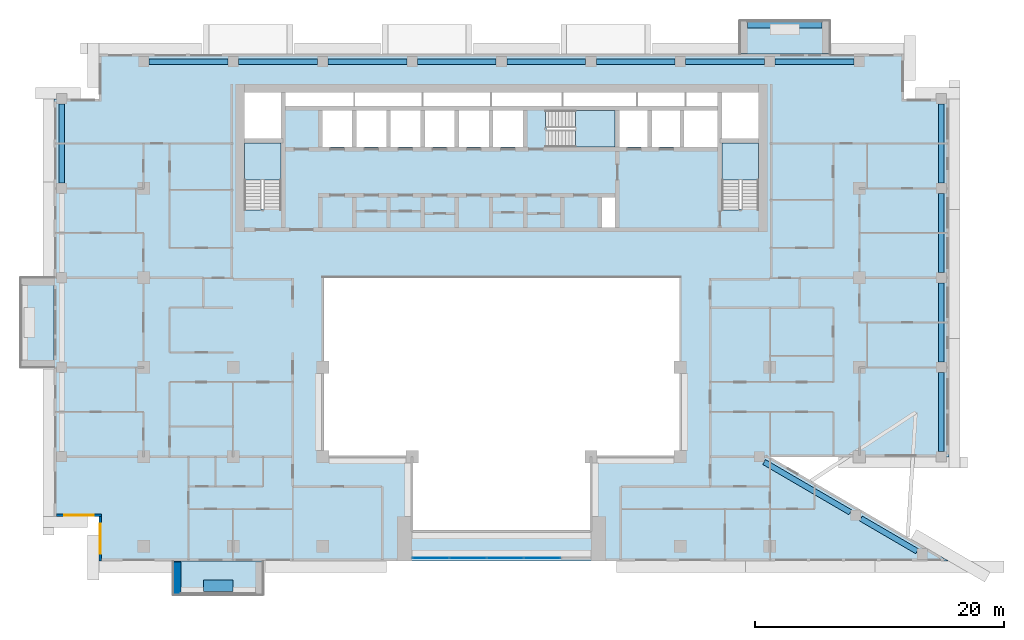
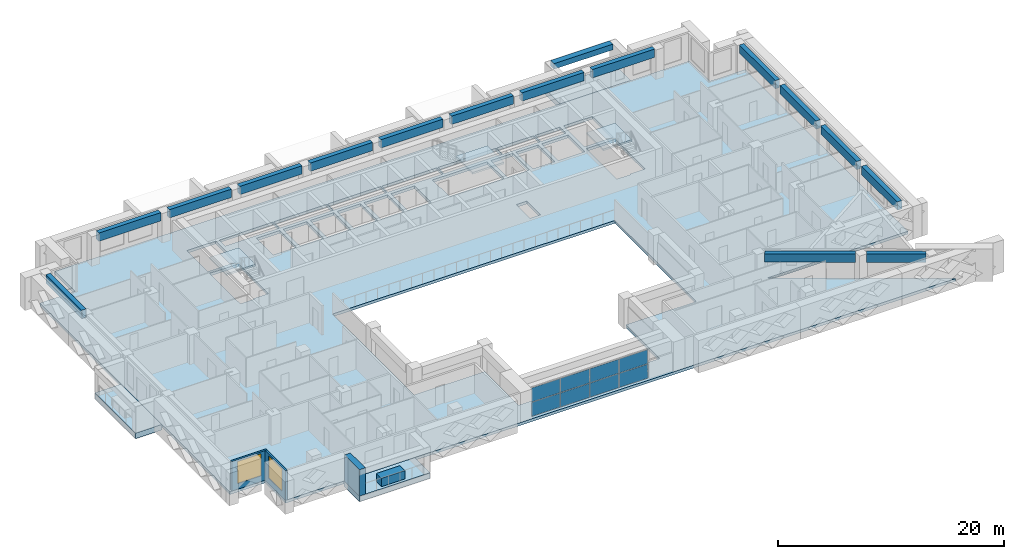
# One storey, part 5 of 20: 16 beams, 8 plates, 7 slabs, 4 walls, 2 windows, 2 openings, 4 elements without a shape of their own.
"""IFC4 building model written with IfcOpenShell, lengths in metres."""

import ifcopenshell
import ifcopenshell.guid

model = None  # the IFC model being written
_history = None  # IfcOwnerHistory: only IFC2X3 demands one
_inside = {}  # id of a spatial element -> (the spatial element, [elements in it])
_under = {}  # id of a project, library or spatial element -> (it, [spatial elements below it])
_declared = {}  # id of a project -> (the project, [libraries it declares])
_typed = {}  # id of a type object -> (the type object, [elements of that type])
_made_of = {}  # id of a material, layer set ... -> (it, [elements and type objects made of it])


def new_model(schema):
    """Start an empty IFC model of exactly this schema.

    Asked for "IFC4X3", IfcOpenShell would pick the latest addendum, in which some entities
    have other attributes; the version numbers below select the first issue.
    IFC2X3 requires an IfcOwnerHistory on every rooted entity: one is made here for all.
    """
    global model, _history
    if schema == "IFC4X3":
        model = ifcopenshell.file(schema_version=(4, 3, 0, 0))
    else:
        model = ifcopenshell.file(schema=schema)
    _inside.clear()
    _under.clear()
    _declared.clear()
    _typed.clear()
    _made_of.clear()
    _history = None
    if model.schema == "IFC2X3":
        org = make("IfcOrganization", Name="unknown")
        user = make(
            "IfcPersonAndOrganization",
            ThePerson=make("IfcPerson", FamilyName="unknown"),
            TheOrganization=org,
        )
        app = make(
            "IfcApplication",
            ApplicationDeveloper=org,
            Version="unknown",
            ApplicationFullName="unknown",
            ApplicationIdentifier="unknown",
        )
        _history = make(
            "IfcOwnerHistory",
            OwningUser=user,
            OwningApplication=app,
            ChangeAction="ADDED",
            CreationDate=0,
        )
    return model


def make(cls, **values):
    """One entity of the class cls with the attributes given. An attribute that is None is left unset."""
    return model.create_entity(
        cls, **{name: value for name, value in values.items() if value is not None}
    )


def rooted(cls, **values):
    """An entity with a GlobalId (a new one), such as an element, a storey or a relation."""
    return make(cls, GlobalId=ifcopenshell.guid.new(), OwnerHistory=_history, **values)


def si_unit(unit_type, name, prefix=None):
    """IfcSIUnit, for example si_unit("LENGTHUNIT", "METRE", prefix="MILLI")."""
    return make("IfcSIUnit", UnitType=unit_type, Prefix=prefix, Name=name)


def assignment(units):
    """IfcUnitAssignment: the units of a project."""
    return None if units is None else make("IfcUnitAssignment", Units=units)


def point(xyz):
    """IfcCartesianPoint."""
    return None if xyz is None else make("IfcCartesianPoint", Coordinates=xyz)


def direction(xyz):
    """IfcDirection."""
    return None if xyz is None else make("IfcDirection", DirectionRatios=xyz)


def frame(location, z_axis=None, x_axis=None):
    """IfcAxis2Placement3D, a coordinate frame: its origin and axes. An axis left out is left unset."""
    return make(
        "IfcAxis2Placement3D",
        Location=point(location),
        Axis=direction(z_axis),
        RefDirection=direction(x_axis),
    )


def frame_2d(location, x_axis=None):
    """IfcAxis2Placement2D, a coordinate frame in the plane: its origin and x axis."""
    return make(
        "IfcAxis2Placement2D", Location=point(location), RefDirection=direction(x_axis)
    )


def origin():
    """The frame at (0, 0, 0) with its axes left unset."""
    return frame((0.0, 0.0, 0.0))


def origin_2d():
    """The frame at (0, 0) in the plane with its x axis left unset."""
    return frame_2d((0.0, 0.0))


def place(relative_to, where):
    """IfcLocalPlacement: puts the frame where relative to a parent placement (None: the world)."""
    return make(
        "IfcLocalPlacement", PlacementRelTo=relative_to, RelativePlacement=where
    )


def context(
    kind, dimensions, precision=None, world=None, true_north=None, identifier=None
):
    """IfcGeometricRepresentationContext, for example the 3D "Model" context."""
    return make(
        "IfcGeometricRepresentationContext",
        ContextIdentifier=identifier,
        ContextType=kind,
        CoordinateSpaceDimension=dimensions,
        Precision=precision,
        WorldCoordinateSystem=world,
        TrueNorth=true_north,
    )


def subcontext(parent, identifier, kind, view, scale=None):
    """IfcGeometricRepresentationSubContext, for example "Body" below "Model"."""
    return make(
        "IfcGeometricRepresentationSubContext",
        ContextIdentifier=identifier,
        ContextType=kind,
        ParentContext=parent,
        TargetScale=scale,
        TargetView=view,
    )


def project(units=None, contexts=None):
    """IfcProject with its units and contexts."""
    return rooted(
        "IfcProject",
        Name="project",
        RepresentationContexts=contexts,
        UnitsInContext=assignment(units),
    )


def spatial(cls, under=None, at=None, **own):
    """A site, building, storey or space (cls), placed at a placement, below another one or the project."""
    s = rooted(cls, ObjectPlacement=at, **own)
    if under is not None:
        _under.setdefault(under.id(), (under, []))[1].append(s)
    return s


def polyline(points):
    """IfcPolyline through the points."""
    return make("IfcPolyline", Points=[point(p) for p in points])


def profile(cls, at=None, kind="AREA", **sizes):
    """A parametric profile (cls). Its sizes go by their IFC names, for example OverallWidth=200.0."""
    return make(cls, ProfileType=kind, Position=at, **sizes)


def rectangle(**sizes):
    """IfcRectangleProfileDef."""
    return profile("IfcRectangleProfileDef", **sizes)


def outline(outer, holes=None, kind="AREA"):
    """IfcArbitraryClosedProfileDef: a profile drawn as a closed curve; with holes, ...WithVoids."""
    if holes is None:
        return make("IfcArbitraryClosedProfileDef", ProfileType=kind, OuterCurve=outer)
    return make(
        "IfcArbitraryProfileDefWithVoids",
        ProfileType=kind,
        OuterCurve=outer,
        InnerCurves=holes,
    )


def extrude(swept, where, along, depth):
    """IfcExtrudedAreaSolid: the profile swept, set in the frame where, extruded along a direction by depth."""
    return make(
        "IfcExtrudedAreaSolid",
        SweptArea=swept,
        Position=where,
        ExtrudedDirection=direction(along),
        Depth=depth,
    )


def shape(context_of_items, identifier, shape_type, items):
    """IfcShapeRepresentation: the items that make up one representation, for example the "Body"."""
    return make(
        "IfcShapeRepresentation",
        ContextOfItems=context_of_items,
        RepresentationIdentifier=identifier,
        RepresentationType=shape_type,
        Items=items,
    )


def source(mapping_origin, context_of_items, identifier, shape_type, items):
    """IfcRepresentationMap: a shape defined once, which mapped items show again and again."""
    return make(
        "IfcRepresentationMap",
        MappingOrigin=mapping_origin,
        MappedRepresentation=shape(context_of_items, identifier, shape_type, items),
    )


def transform(
    local_origin,
    x_axis=None,
    y_axis=None,
    z_axis=None,
    scale=None,
    scale2=None,
    scale3=None,
    uniform=True,
):
    """IfcCartesianTransformationOperator3D, or its non-uniform kind. x_axis, y_axis, z_axis: its Axis1, 2, 3."""
    if uniform:
        return make(
            "IfcCartesianTransformationOperator3D",
            Axis1=direction(x_axis),
            Axis2=direction(y_axis),
            LocalOrigin=point(local_origin),
            Scale=scale,
            Axis3=direction(z_axis),
        )
    return make(
        "IfcCartesianTransformationOperator3DnonUniform",
        Axis1=direction(x_axis),
        Axis2=direction(y_axis),
        LocalOrigin=point(local_origin),
        Scale=scale,
        Axis3=direction(z_axis),
        Scale2=scale2,
        Scale3=scale3,
    )


def mapped(mapping_source, mapping_target):
    """IfcMappedItem: shows the shape of a source again, moved by a transform."""
    return make(
        "IfcMappedItem", MappingSource=mapping_source, MappingTarget=mapping_target
    )


def material(Name=None, Category=None):
    """IfcMaterial."""
    return make("IfcMaterial", Name=Name, Category=Category)


def layer(
    of_material, thickness, ventilated=None, Name=None, Category=None, Priority=None
):
    """IfcMaterialLayer: one layer of a wall or slab, of a material (None: an air gap)."""
    return make(
        "IfcMaterialLayer",
        Material=of_material,
        LayerThickness=thickness,
        IsVentilated=ventilated,
        Name=Name,
        Category=Category,
        Priority=Priority,
    )


def layer_set(layers, Name=None):
    """IfcMaterialLayerSet."""
    return make("IfcMaterialLayerSet", MaterialLayers=layers, LayerSetName=Name)


def material_profile(
    of_material, cross_section, Name=None, Category=None, Priority=None
):
    """IfcMaterialProfile: a cross section and its material."""
    return make(
        "IfcMaterialProfile",
        Name=Name,
        Material=of_material,
        Profile=cross_section,
        Priority=Priority,
        Category=Category,
    )


def profile_set(profiles, Name=None, composite=None):
    """IfcMaterialProfileSet."""
    return make(
        "IfcMaterialProfileSet",
        Name=Name,
        MaterialProfiles=profiles,
        CompositeProfile=composite,
    )


def made_of(thing, what):
    """Note that an element or type object is made of a material, layer set ...; save() writes the relation."""
    if what is not None:
        _made_of.setdefault(what.id(), (what, []))[1].append(thing)
    return thing


def type_object(cls, material=None, **own):
    """A type object (cls), such as IfcWallType, which elements share."""
    return made_of(rooted(cls, **own), material)


def element(
    cls,
    number,
    at=None,
    inside=None,
    cuts=None,
    type_object=None,
    material=None,
    context=None,
    identifier="Body",
    shape_type=None,
    held_by="IfcProductDefinitionShape",
    body=None,
    shapes=None,
    **own,
):
    """One element of the class cls, such as IfcWall. Its Tag is "e" and its number.

    at: its placement. inside: the storey or other place that contains it. cuts: it is an
    opening in that element (IfcRelVoidsElement). A single representation is given by context,
    identifier, shape_type and body (its items); several are given by shapes. held_by: the class
    of the entity that holds the representations. save() writes the other relations.
    """
    e = rooted(cls, Tag="e%d" % number, ObjectPlacement=at, **own)
    if body is not None:
        shapes = [shape(context, identifier, shape_type, body)]
    if shapes is not None:
        e.Representation = make(held_by, Representations=shapes)
    if inside is not None:
        _inside.setdefault(inside.id(), (inside, []))[1].append(e)
    if cuts is not None:
        rooted(
            "IfcRelVoidsElement", RelatingBuildingElement=cuts, RelatedOpeningElement=e
        )
    if type_object is not None:
        _typed.setdefault(type_object.id(), (type_object, []))[1].append(e)
    return made_of(e, material)


def fill(opening, filler):
    """IfcRelFillsElement: the door or window that sits in an opening."""
    return rooted(
        "IfcRelFillsElement",
        RelatingOpeningElement=opening,
        RelatedBuildingElement=filler,
    )


def aggregate(whole, parts):
    """IfcRelAggregates: a whole, such as a stair, and the parts it consists of."""
    return rooted("IfcRelAggregates", RelatingObject=whole, RelatedObjects=parts)


def save(model, path):
    """Write the relations noted so far, then the file.

    IfcRelAggregates (storeys below a building ...), IfcRelContainedInSpatialStructure (elements
    in a storey), IfcRelDefinesByType, IfcRelAssociatesMaterial and IfcRelDeclares: one each for
    every whole, place, type object, material and project.
    """
    for whole, parts in _under.values():
        aggregate(whole, parts)
    for where, things in _inside.values():
        rooted(
            "IfcRelContainedInSpatialStructure",
            RelatedElements=things,
            RelatingStructure=where,
        )
    for kind, things in _typed.values():
        rooted("IfcRelDefinesByType", RelatedObjects=things, RelatingType=kind)
    for what, things in _made_of.values():
        rooted("IfcRelAssociatesMaterial", RelatedObjects=things, RelatingMaterial=what)
    for by, libraries in _declared.values():
        rooted("IfcRelDeclares", RelatingContext=by, RelatedDefinitions=libraries)
    model.write(path)


model = new_model("IFC4")

# Units and contexts
model_context = context("Model", 3, precision=1e-05, world=origin(), true_north=direction((0.0, 1.0)))
body_context = subcontext(model_context, "Body", "Model", "MODEL_VIEW")
ifc_project = project(units=[si_unit("LENGTHUNIT", "METRE"), si_unit("AREAUNIT", "SQUARE_METRE"), si_unit("VOLUMEUNIT", "CUBIC_METRE"), si_unit("PLANEANGLEUNIT", "RADIAN"), si_unit("MASSUNIT", "GRAM", prefix="KILO")], contexts=[model_context])

# Site, building, storey
site_placement = place(None, origin())
site = spatial("IfcSite", under=ifc_project, at=site_placement, CompositionType="ELEMENT")
building_placement = place(site_placement, origin())
building = spatial("IfcBuilding", under=site, at=building_placement, Name="Saffron Iwan Residences", CompositionType="ELEMENT")
storey_placement = place(building_placement, frame((0.0, 0.0, 164.0)))
storey = spatial("IfcBuildingStorey", under=building, at=storey_placement, Name="L43", CompositionType="ELEMENT", Elevation=164.0)

# Beams
ifc_material_1 = material(Name="Concrete C50/60", Category="concrete")
ifc_material_profile_1 = material_profile(ifc_material_1, rectangle(XDim=0.449951171875, YDim=0.89990234375, at=origin_2d()), Name="RC 450x900")
ifc_profile_set_1 = profile_set([ifc_material_profile_1], Name="Concrete C50/60")
beam_type_1 = type_object("IfcBeamType", Name="SPANDREL BEAM RC 450x900 C50/60 TOP 3200", PredefinedType="SPANDREL", material=ifc_profile_set_1)
shared_shape_1 = source(origin(), body_context, "Body", "SweptSolid", [
    extrude(rectangle(XDim=0.449951171875, YDim=0.89990234375, at=origin_2d()), origin(), (0.0, 0.0, 1.0), 5.24267578125),
])
beam_1_placement = place(storey_placement, frame((79.32275390625, 43.03369140625, 2.75), z_axis=(0.863783967805, -0.503862339299, 0.0), x_axis=(0.503862339299, 0.863783967805, 0.0)))
element("IfcBeam", 1, at=beam_1_placement, inside=storey, type_object=beam_type_1, Name="Spandrel beam", PredefinedType="SPANDREL", context=body_context, shape_type="MappedRepresentation", body=[
    mapped(shared_shape_1, transform((0.0, 0.0, 0.0))),
])
shared_shape_2 = source(origin(), body_context, "Body", "SweptSolid", [
    extrude(rectangle(XDim=0.449951171875, YDim=0.89990234375, at=origin_2d()), origin(), (0.0, 0.0, 1.0), 8.028564453125),
])
beam_2_placement = place(storey_placement, frame((71.537841796875, 47.574951171875, 2.75), z_axis=(0.863773386225, -0.503880479132, 0.0), x_axis=(0.503880479132, 0.863773386225, 0.0)))
element("IfcBeam", 2, at=beam_2_placement, inside=storey, type_object=beam_type_1, Name="Spandrel beam", PredefinedType="SPANDREL", context=body_context, shape_type="MappedRepresentation", body=[
    mapped(shared_shape_2, transform((0.0, 0.0, 0.0))),
])
shared_shape_3 = source(origin(), body_context, "Body", "SweptSolid", [
    extrude(rectangle(XDim=0.449951171875, YDim=0.89990234375, at=origin_2d()), origin(), (0.0, 0.0, 1.0), 6.349853515625),
])
for number, where, z_axis, x_axis, name in (
    (3, (85.800048828125, 54.77490234375, 2.75), (0.0, -1.0, 0.0), (1.0, 0.0, 0.0), "Spandrel beam"),
    (4, (29.22509765625, 79.800048828125, 2.75), (1.0, 0.0, 0.0), (0.0, 1.0, 0.0), "Spandrel beam"),
    (5, (36.425048828125, 79.800048828125, 2.75), (1.0, 0.0, 0.0), (0.0, 1.0, 0.0), "Spandrel beam"),
    (6, (65.22509765625, 79.800048828125, 2.75), (1.0, 0.0, 0.0), (0.0, 1.0, 0.0), "Spandrel beam"),
    (7, (72.425048828125, 79.800048828125, 2.75), (1.0, 0.0, 0.0), (0.0, 1.0, 0.0), "Spandrel beam"),
):
    element("IfcBeam", number, at=place(storey_placement, frame(where, z_axis=z_axis, x_axis=x_axis)), inside=storey, type_object=beam_type_1, Name=name, PredefinedType="SPANDREL", context=body_context, shape_type="MappedRepresentation", body=[
        mapped(shared_shape_3, transform((0.0, 0.0, 0.0))),
    ])
shared_shape_4 = source(origin(), body_context, "Body", "SweptSolid", [
    extrude(rectangle(XDim=0.449951171875, YDim=0.89990234375, at=origin_2d()), origin(), (0.0, 0.0, 1.0), 6.35009765625),
])
for number, where, z_axis, x_axis, name in (
    (8, (85.800048828125, 61.97509765625, 2.75), (0.0, -1.0, 0.0), (1.0, 0.0, 0.0), "Spandrel beam"),
    (9, (85.800048828125, 69.175048828125, 2.75), (0.0, -1.0, 0.0), (1.0, 0.0, 0.0), "Spandrel beam"),
    (10, (15.0, 70.02490234375, 2.75), (0.0, 1.0, 0.0), (-1.0, 0.0, 0.0), "Spandrel beam"),
    (11, (85.800048828125, 76.375, 2.75), (0.0, -1.0, 0.0), (1.0, 0.0, 0.0), "Spandrel beam"),
    (12, (22.02490234375, 79.800048828125, 2.75), (1.0, 0.0, 0.0), (0.0, 1.0, 0.0), "Spandrel beam"),
    (13, (43.625, 79.800048828125, 2.75), (1.0, 0.0, 0.0), (0.0, 1.0, 0.0), "Spandrel beam"),
    (14, (50.824951171875, 79.800048828125, 2.75), (1.0, 0.0, 0.0), (0.0, 1.0, 0.0), "Spandrel beam"),
    (15, (58.02490234375, 79.800048828125, 2.75), (1.0, 0.0, 0.0), (0.0, 1.0, 0.0), "Spandrel beam"),
):
    element("IfcBeam", number, at=place(storey_placement, frame(where, z_axis=z_axis, x_axis=x_axis)), inside=storey, type_object=beam_type_1, Name=name, PredefinedType="SPANDREL", context=body_context, shape_type="MappedRepresentation", body=[
        mapped(shared_shape_4, transform((0.0, 0.0, 0.0))),
    ])
ifc_material_2 = material(Name="Concrete C50/60 white painted", Category="concrete")
ifc_material_profile_2 = material_profile(ifc_material_2, rectangle(XDim=0.60009765625, YDim=0.60009765625, at=origin_2d()), Name="BALCONY FASCIA BEAM 600 x 600")
ifc_profile_set_2 = profile_set([ifc_material_profile_2], Name="Concrete C50/60 white painted")
beam_type_2 = type_object("IfcBeamType", Name="BALCONY FASCIA BEAM 600 x 600", PredefinedType="BEAM", material=ifc_profile_set_2)
shared_shape_5 = source(origin(), body_context, "Body", "SweptSolid", [
    extrude(rectangle(XDim=0.60009765625, YDim=0.60009765625, at=origin_2d()), origin(), (0.0, 0.0, 1.0), 6.0),
])
beam_3_placement = place(storey_placement, frame((76.199951171875, 82.800048828125, 2.550048828125), z_axis=(-1.0, 0.0, 0.0), x_axis=(0.0, -1.0, 0.0)))
element("IfcBeam", 16, at=beam_3_placement, inside=storey, type_object=beam_type_2, Name="Balcony fascia beam L43 F5-0", PredefinedType="BEAM", context=body_context, shape_type="MappedRepresentation", body=[
    mapped(shared_shape_5, transform((0.0, 0.0, 0.0))),
])

# Slabs
ifc_layer_1 = layer(ifc_material_2, 0.60009765625)
ifc_layer_set_1 = layer_set([ifc_layer_1], Name="Concrete C50/60 white painted")
slab_type_1 = type_object("IfcSlabType", Name="BALCONY FRAME SLAB 600", PredefinedType="FLOOR", material=ifc_layer_set_1)
slab_1_placement = place(storey_placement, frame((0.0, 0.0, -0.60009765625)))
element("IfcSlab", 17, at=slab_1_placement, inside=storey, type_object=slab_type_1, Name="Balcony frame slab L43 F5-0", PredefinedType="FLOOR", context=body_context, shape_type="SweptSolid", body=[
    extrude(outline(polyline([(76.800048828125, 83.10009765625), (69.60009765625, 83.10009765625), (69.60009765625, 80.39990234375), (76.800048828125, 80.39990234375), (76.800048828125, 83.10009765625)])), origin(), (0.0, 0.0, 1.0), 0.60009765625),
])
slab_2_placement = place(storey_placement, frame((0.0, 0.0, -0.60009765625)))
element("IfcSlab", 18, at=slab_2_placement, inside=storey, type_object=slab_type_1, Name="Balcony frame slab L43 F8-0", PredefinedType="FLOOR", context=body_context, shape_type="SweptSolid", body=[
    extrude(outline(polyline([(11.699951171875, 62.39990234375), (11.699951171875, 55.199951171875), (14.39990234375, 55.199951171875), (14.39990234375, 62.39990234375), (11.699951171875, 62.39990234375)])), origin(), (0.0, 0.0, 1.0), 0.60009765625),
])
slab_3_placement = place(storey_placement, frame((0.0, 0.0, -0.60009765625)))
element("IfcSlab", 19, at=slab_3_placement, inside=storey, type_object=slab_type_1, Name="Balcony frame slab L43 11-0", PredefinedType="FLOOR", context=body_context, shape_type="SweptSolid", body=[
    extrude(outline(polyline([(24.0, 36.89990234375), (31.199951171875, 36.89990234375), (31.199951171875, 39.60009765625), (24.0, 39.60009765625), (24.0, 36.89990234375)])), origin(), (0.0, 0.0, 1.0), 0.60009765625),
])
ifc_material_3 = material(Name="Concrete C40/50", Category="concrete")
ifc_layer_2 = layer(ifc_material_3, 0.300048828125)
ifc_layer_set_2 = layer_set([ifc_layer_2], Name="Concrete C40/50")
slab_type_2 = type_object("IfcSlabType", Name="PT PLATE 300 C40/50", PredefinedType="FLOOR", material=ifc_layer_set_2)
slab_4_placement = place(storey_placement, frame((0.0, 0.0, -0.300048828125)))
element("IfcSlab", 20, at=slab_4_placement, inside=storey, type_object=slab_type_2, Name="Floor slab L43", PredefinedType="FLOOR", context=body_context, shape_type="SweptSolid", body=[
    extrude(outline(polyline([(14.39990234375, 43.199951171875), (14.39990234375, 76.800048828125), (18.0, 76.800048828125), (18.0, 80.39990234375), (82.800048828125, 80.39990234375), (82.800048828125, 76.800048828125), (86.39990234375, 76.800048828125), (86.39990234375, 48.0), (72.0, 48.0), (86.39990234375, 39.60009765625), (18.0, 39.60009765625), (18.0, 43.199951171875), (14.39990234375, 43.199951171875)]), holes=[polyline([(64.800048828125, 48.0), (64.800048828125, 62.39990234375), (36.0, 62.39990234375), (36.0, 48.0), (43.199951171875, 48.0), (43.199951171875, 42.0), (57.60009765625, 42.0), (57.60009765625, 48.0), (64.800048828125, 48.0)]), polyline([(29.699951171875, 73.25), (29.699951171875, 67.949951171875), (29.699951171875, 67.8505859375), (31.10009765625, 67.8505859375), (31.10009765625, 67.949951171875), (32.64990234375, 67.949951171875), (32.64990234375, 73.25), (29.699951171875, 73.25)]), polyline([(38.375, 75.875), (35.97509765625, 75.875), (35.97509765625, 72.925048828125), (38.375, 72.925048828125), (38.375, 75.875)]), polyline([(41.125, 75.875), (38.72509765625, 75.875), (38.72509765625, 72.925048828125), (41.125, 72.925048828125), (41.125, 75.875)]), polyline([(43.875, 72.925048828125), (43.875, 75.875), (41.47509765625, 75.875), (41.47509765625, 72.925048828125), (43.875, 72.925048828125)]), polyline([(46.625, 72.925048828125), (46.625, 75.875), (44.22509765625, 75.875), (44.22509765625, 72.925048828125), (46.625, 72.925048828125)]), polyline([(49.375, 75.875), (46.97509765625, 75.875), (46.97509765625, 72.925048828125), (49.375, 72.925048828125), (49.375, 75.875)]), polyline([(52.125, 72.925048828125), (52.125, 75.875), (49.72509765625, 75.875), (49.72509765625, 72.925048828125), (52.125, 72.925048828125)]), polyline([(32.64990234375, 73.60009765625), (32.64990234375, 77.300048828125), (29.699951171875, 77.300048828125), (29.699951171875, 73.60009765625), (32.64990234375, 73.60009765625)]), polyline([(38.5, 77.300048828125), (33.0, 77.300048828125), (33.0, 76.22509765625), (38.5, 76.22509765625), (38.5, 77.300048828125)]), polyline([(44.0, 76.22509765625), (44.0, 77.300048828125), (38.60009765625, 77.300048828125), (38.60009765625, 76.22509765625), (44.0, 76.22509765625)]), polyline([(49.5, 76.22509765625), (49.5, 77.300048828125), (44.10009765625, 77.300048828125), (44.10009765625, 76.22509765625), (49.5, 76.22509765625)]), polyline([(59.550048828125, 68.875), (58.47509765625, 68.875), (58.47509765625, 66.449951171875), (59.550048828125, 66.449951171875), (59.550048828125, 68.875)]), polyline([(68.14990234375, 73.25), (68.14990234375, 67.949951171875), (68.14990234375, 67.8505859375), (69.550048828125, 67.8505859375), (69.550048828125, 67.949951171875), (71.10009765625, 67.949951171875), (71.10009765625, 73.25), (68.14990234375, 73.25)]), polyline([(54.02490234375, 74.47509765625), (54.02490234375, 72.925048828125), (59.550048828125, 72.925048828125), (59.550048828125, 75.875), (54.02490234375, 75.875), (53.925537109375, 75.875), (53.925537109375, 74.47509765625), (54.02490234375, 74.47509765625)]), polyline([(62.14990234375, 72.925048828125), (62.14990234375, 75.875), (59.89990234375, 75.875), (59.89990234375, 72.925048828125), (62.14990234375, 72.925048828125)]), polyline([(64.75, 72.925048828125), (64.75, 75.875), (62.5, 75.875), (62.5, 72.925048828125), (64.75, 72.925048828125)]), polyline([(67.800048828125, 75.875), (65.10009765625, 75.875), (65.10009765625, 72.925048828125), (67.800048828125, 72.925048828125), (67.800048828125, 75.875)]), polyline([(71.10009765625, 73.60009765625), (71.10009765625, 77.300048828125), (68.14990234375, 77.300048828125), (68.14990234375, 73.60009765625), (71.10009765625, 73.60009765625)]), polyline([(55.25, 76.22509765625), (55.25, 77.300048828125), (49.60009765625, 77.300048828125), (49.60009765625, 76.22509765625), (55.25, 76.22509765625)]), polyline([(61.25, 77.300048828125), (55.35009765625, 77.300048828125), (55.35009765625, 76.22509765625), (61.25, 76.22509765625), (61.25, 77.300048828125)]), polyline([(65.14990234375, 76.22509765625), (65.14990234375, 77.300048828125), (61.35009765625, 77.300048828125), (61.35009765625, 76.22509765625), (65.14990234375, 76.22509765625)]), polyline([(67.800048828125, 76.22509765625), (67.800048828125, 77.300048828125), (65.25, 77.300048828125), (65.25, 76.22509765625), (67.800048828125, 76.22509765625)])]), origin(), (0.0, 0.0, 1.0), 0.300048828125),
])

# Stair, slab
stair_type = type_object("IfcStairType", Name="Stair ST-CORE", PredefinedType="HALF_TURN_STAIR", material=ifc_material_1)
stair_1_placement = place(storey_placement, origin())
stair_1 = element("IfcStair", 21, at=stair_1_placement, inside=storey, type_object=stair_type, Name="L43 Exit Stair ST-W", PredefinedType="HALF_TURN_STAIR")
ifc_layer_3 = layer(ifc_material_1, 0.199951171875)
ifc_layer_set_3 = layer_set([ifc_layer_3], Name="Concrete C50/60")
slab_type_3 = type_object("IfcSlabType", Name="Stair landing SL-RC", PredefinedType="LANDING", material=ifc_layer_set_3)
slab_5_placement = place(storey_placement, frame((0.0, 0.0, 1.5498046875)))
slab_5 = element("IfcSlab", 22, at=slab_5_placement, type_object=slab_type_3, Name="ST-W landing 1", PredefinedType="LANDING", context=body_context, shape_type="SweptSolid", body=[
    extrude(outline(polyline([(32.64990234375, 70.280029296875), (32.64990234375, 73.25), (29.699951171875, 73.25), (29.699951171875, 70.280029296875), (32.64990234375, 70.280029296875)])), origin(), (0.0, 0.0, 1.0), 0.2001953125),
])
aggregate(stair_1, [slab_5])

stair_2_placement = place(storey_placement, origin())
stair_2 = element("IfcStair", 23, at=stair_2_placement, inside=storey, type_object=stair_type, Name="L43 Exit Stair ST-C", PredefinedType="HALF_TURN_STAIR")
slab_6_placement = place(storey_placement, frame((0.0, 0.0, 1.5498046875)))
slab_6 = element("IfcSlab", 24, at=slab_6_placement, type_object=slab_type_3, Name="ST-C landing 1", PredefinedType="LANDING", context=body_context, shape_type="SweptSolid", body=[
    extrude(outline(polyline([(56.35498046875, 72.925048828125), (59.550048828125, 72.925048828125), (59.550048828125, 75.875), (56.35498046875, 75.875), (56.35498046875, 72.925048828125)])), origin(), (0.0, 0.0, 1.0), 0.2001953125),
])
aggregate(stair_2, [slab_6])

stair_3_placement = place(storey_placement, origin())
stair_3 = element("IfcStair", 25, at=stair_3_placement, inside=storey, type_object=stair_type, Name="L43 Exit Stair ST-E", PredefinedType="HALF_TURN_STAIR")
slab_7_placement = place(storey_placement, frame((0.0, 0.0, 1.5498046875)))
slab_7 = element("IfcSlab", 26, at=slab_7_placement, type_object=slab_type_3, Name="ST-E landing 1", PredefinedType="LANDING", context=body_context, shape_type="SweptSolid", body=[
    extrude(outline(polyline([(71.10009765625, 70.280029296875), (71.10009765625, 73.25), (68.14990234375, 73.25), (68.14990234375, 70.280029296875), (71.10009765625, 70.280029296875)])), origin(), (0.0, 0.0, 1.0), 0.2001953125),
])
aggregate(stair_3, [slab_7])

# Curtain wall, plates
ifc_material_4 = material(Name="Clear glass, laminated double glazed", Category="glass")
ifc_layer_4 = layer(ifc_material_4, 0.199951171875)
ifc_layer_set_4 = layer_set([ifc_layer_4], Name="Clear glass, laminated double glazed")
curtain_wall_type = type_object("IfcCurtainWallType", Name="CW-B IWAN PORTAL", PredefinedType="NOTDEFINED", material=ifc_layer_set_4)
curtain_wall_placement = place(storey_placement, origin())
curtain_wall = element("IfcCurtainWall", 27, at=curtain_wall_placement, inside=storey, type_object=curtain_wall_type, Name="Iwan portal glazing L43.1", PredefinedType="NOTDEFINED")
ifc_layer_5 = layer(ifc_material_4, 0.028076171875)
ifc_layer_set_5 = layer_set([ifc_layer_5], Name="Clear glass, laminated double glazed")
plate_type = type_object("IfcPlateType", Name="CW-B PANEL 28", PredefinedType="CURTAIN_PANEL", material=ifc_layer_set_5)
shared_shape_6 = source(origin(), body_context, "Body", "SweptSolid", [
    extrude(rectangle(XDim=2.909912109375, YDim=0.028076171875, at=origin_2d()), origin(), (0.0, 0.0, 1.0), 1.510009765625),
])
plate_1_placement = place(storey_placement, frame((44.715087890625, 39.85009765625, 0.06005859375), z_axis=(0.0, 0.0, 1.0), x_axis=(1.0, 0.0, 0.0)))
plate_1 = element("IfcPlate", 28, at=plate_1_placement, type_object=plate_type, Name="CW-B panel 1.1", PredefinedType="CURTAIN_PANEL", context=body_context, shape_type="MappedRepresentation", body=[
    mapped(shared_shape_6, transform((0.0, 0.0, 0.0))),
])
plate_2_placement = place(storey_placement, frame((44.715087890625, 39.85009765625, 1.6298828125), z_axis=(0.0, 0.0, 1.0), x_axis=(1.0, 0.0, 0.0)))
plate_2 = element("IfcPlate", 29, at=plate_2_placement, type_object=plate_type, Name="CW-B panel 1.2", PredefinedType="CURTAIN_PANEL", context=body_context, shape_type="MappedRepresentation", body=[
    mapped(shared_shape_6, transform((0.0, 0.0, 0.0))),
])
plate_3_placement = place(storey_placement, frame((53.68505859375, 39.85009765625, 0.06005859375), z_axis=(0.0, 0.0, 1.0), x_axis=(1.0, 0.0, 0.0)))
plate_3 = element("IfcPlate", 30, at=plate_3_placement, type_object=plate_type, Name="CW-B panel 4.1", PredefinedType="CURTAIN_PANEL", context=body_context, shape_type="MappedRepresentation", body=[
    mapped(shared_shape_6, transform((0.0, 0.0, 0.0))),
])
plate_4_placement = place(storey_placement, frame((53.68505859375, 39.85009765625, 1.6298828125), z_axis=(0.0, 0.0, 1.0), x_axis=(1.0, 0.0, 0.0)))
plate_4 = element("IfcPlate", 31, at=plate_4_placement, type_object=plate_type, Name="CW-B panel 4.2", PredefinedType="CURTAIN_PANEL", context=body_context, shape_type="MappedRepresentation", body=[
    mapped(shared_shape_6, transform((0.0, 0.0, 0.0))),
])
shared_shape_7 = source(origin(), body_context, "Body", "SweptSolid", [
    extrude(rectangle(XDim=2.93994140625, YDim=0.028076171875, at=origin_2d()), origin(), (0.0, 0.0, 1.0), 1.510009765625),
])
plate_5_placement = place(storey_placement, frame((47.699951171875, 39.85009765625, 0.06005859375), z_axis=(0.0, 0.0, 1.0), x_axis=(1.0, 0.0, 0.0)))
plate_5 = element("IfcPlate", 32, at=plate_5_placement, type_object=plate_type, Name="CW-B panel 2.1", PredefinedType="CURTAIN_PANEL", context=body_context, shape_type="MappedRepresentation", body=[
    mapped(shared_shape_7, transform((0.0, 0.0, 0.0))),
])
plate_6_placement = place(storey_placement, frame((47.699951171875, 39.85009765625, 1.6298828125), z_axis=(0.0, 0.0, 1.0), x_axis=(1.0, 0.0, 0.0)))
plate_6 = element("IfcPlate", 33, at=plate_6_placement, type_object=plate_type, Name="CW-B panel 2.2", PredefinedType="CURTAIN_PANEL", context=body_context, shape_type="MappedRepresentation", body=[
    mapped(shared_shape_7, transform((0.0, 0.0, 0.0))),
])
plate_7_placement = place(storey_placement, frame((50.699951171875, 39.85009765625, 0.06005859375), z_axis=(0.0, 0.0, 1.0), x_axis=(1.0, 0.0, 0.0)))
plate_7 = element("IfcPlate", 34, at=plate_7_placement, type_object=plate_type, Name="CW-B panel 3.1", PredefinedType="CURTAIN_PANEL", context=body_context, shape_type="MappedRepresentation", body=[
    mapped(shared_shape_7, transform((0.0, 0.0, 0.0))),
])
plate_8_placement = place(storey_placement, frame((50.699951171875, 39.85009765625, 1.6298828125), z_axis=(0.0, 0.0, 1.0), x_axis=(1.0, 0.0, 0.0)))
plate_8 = element("IfcPlate", 35, at=plate_8_placement, type_object=plate_type, Name="CW-B panel 3.2", PredefinedType="CURTAIN_PANEL", context=body_context, shape_type="MappedRepresentation", body=[
    mapped(shared_shape_7, transform((0.0, 0.0, 0.0))),
])
aggregate(curtain_wall, [plate_1, plate_2, plate_5, plate_6, plate_7, plate_8, plate_3, plate_4])

# Walls
ifc_layer_6 = layer(ifc_material_2, 0.60009765625)
ifc_layer_set_6 = layer_set([ifc_layer_6], Name="Concrete C50/60 white painted")
wall_type_1 = type_object("IfcWallType", Name="BALCONY FIN 600", PredefinedType="SOLIDWALL", material=ifc_layer_set_6)
wall_1_placement = place(storey_placement, frame((24.300048828125, 39.550048828125, 0.0), z_axis=(0.0, 0.0, 1.0), x_axis=(0.0, -1.0, 0.0)))
element("IfcWall", 36, at=wall_1_placement, inside=storey, type_object=wall_type_1, Name="Balcony fin L43 11-0a", PredefinedType="SOLIDWALL", context=body_context, shape_type="SweptSolid", body=[
    extrude(rectangle(XDim=2.650146484375, YDim=0.60009765625, at=frame_2d((1.3251953125, 0.0))), origin(), (0.0, 0.0, 1.0), 2.85009765625),
])
ifc_material_5 = material(Name="Concrete C35/45 white painted", Category="concrete")
ifc_layer_7 = layer(ifc_material_5, 0.14990234375)
ifc_layer_set_7 = layer_set([ifc_layer_7], Name="Concrete C35/45 white painted")
wall_type_2 = type_object("IfcWallType", Name="BALCONY PLANTER", PredefinedType="SOLIDWALL", material=ifc_layer_set_7)
wall_2_placement = place(storey_placement, frame((26.39990234375, 37.625, 0.0), z_axis=(0.0, 0.0, 1.0), x_axis=(1.0, 0.0, 0.0)))
element("IfcWall", 37, at=wall_2_placement, inside=storey, type_object=wall_type_2, Name="PLANTER L43 11-0", PredefinedType="SOLIDWALL", context=body_context, shape_type="SweptSolid", body=[
    extrude(rectangle(XDim=2.400146484375, YDim=0.89990234375, at=frame_2d((1.2001953125, 0.0))), origin(), (0.0, 0.0, 1.0), 0.89990234375),
])

# Wall, opening, window
ifc_layer_8 = layer(ifc_material_3, 0.199951171875)
ifc_layer_set_8 = layer_set([ifc_layer_8], Name="Concrete C40/50")
wall_type_3 = type_object("IfcWallType", Name="EXTERNAL WALL 200", PredefinedType="SOLIDWALL", material=ifc_layer_set_8)
wall_3_placement = place(storey_placement, frame((14.60009765625, 43.300048828125, 0.0), z_axis=(0.0, 0.0, 1.0), x_axis=(1.0, 0.0, 0.0)))
wall_3 = element("IfcWall", 38, at=wall_3_placement, inside=storey, type_object=wall_type_3, Name="External wall L43 F9.0", PredefinedType="SOLIDWALL", context=body_context, shape_type="SweptSolid", body=[
    extrude(rectangle(XDim=3.599853515625, YDim=0.199951171875, at=frame_2d((1.7998046875, 0.0))), origin(), (0.0, 0.0, 1.0), 3.199951171875),
])
opening_1_placement = place(wall_3_placement, frame((0.60009765625, 0.0, 0.60009765625)))
opening_1 = element("IfcOpeningElement", 39, at=opening_1_placement, cuts=wall_3, Name="Opening W1", PredefinedType="OPENING", context=body_context, shape_type="SweptSolid", body=[
    extrude(rectangle(XDim=2.39990234375, YDim=2.39990234375, at=frame_2d((1.199951171875, 1.199951171875))), frame((0.0, 0.10986328125, 0.0), z_axis=(0.0, -1.0, 0.0), x_axis=(1.0, 0.0, 0.0)), (0.0, 0.0, 1.0), 0.219970703125),
])
window_type = type_object("IfcWindowType", Name="WINDOW 2400 x 2400", PartitioningType="DOUBLE_PANEL_VERTICAL", PredefinedType="WINDOW", material=ifc_material_4)
window_1_placement = place(opening_1_placement, origin())
window_1 = element("IfcWindow", 40, at=window_1_placement, inside=storey, type_object=window_type, Name="Window L43 F9.0", OverallHeight=2.39990234375, OverallWidth=2.39990234375, PartitioningType="DOUBLE_PANEL_VERTICAL", PredefinedType="WINDOW", context=body_context, shape_type="SweptSolid", body=[
    extrude(rectangle(XDim=2.39990234375, YDim=2.39990234375, at=frame_2d((1.199951171875, 1.199951171875))), frame((0.0, 0.030029296875, 0.0), z_axis=(0.0, -1.0, 0.0), x_axis=(1.0, 0.0, 0.0)), (0.0, 0.0, 1.0), 0.06005859375),
])
fill(opening_1, window_1)

wall_4_placement = place(storey_placement, frame((18.10009765625, 43.199951171875, 0.0), z_axis=(0.0, 0.0, 1.0), x_axis=(0.0, -1.0, 0.0)))
wall_4 = element("IfcWall", 41, at=wall_4_placement, inside=storey, type_object=wall_type_3, Name="External wall L43 F10.0", PredefinedType="SOLIDWALL", context=body_context, shape_type="SweptSolid", body=[
    extrude(rectangle(XDim=3.599853515625, YDim=0.199951171875, at=frame_2d((1.7998046875, 0.0))), origin(), (0.0, 0.0, 1.0), 3.199951171875),
])
opening_2_placement = place(wall_4_placement, frame((0.60009765625, 0.0, 0.60009765625)))
opening_2 = element("IfcOpeningElement", 42, at=opening_2_placement, cuts=wall_4, Name="Opening W1", PredefinedType="OPENING", context=body_context, shape_type="SweptSolid", body=[
    extrude(rectangle(XDim=2.39990234375, YDim=2.39990234375, at=frame_2d((1.199951171875, 1.199951171875))), frame((0.0, 0.10986328125, 0.0), z_axis=(0.0, -1.0, 0.0), x_axis=(1.0, 0.0, 0.0)), (0.0, 0.0, 1.0), 0.219970703125),
])
window_2_placement = place(opening_2_placement, origin())
window_2 = element("IfcWindow", 43, at=window_2_placement, inside=storey, type_object=window_type, Name="Window L43 F10.0", OverallHeight=2.39990234375, OverallWidth=2.39990234375, PartitioningType="DOUBLE_PANEL_VERTICAL", PredefinedType="WINDOW", context=body_context, shape_type="SweptSolid", body=[
    extrude(rectangle(XDim=2.39990234375, YDim=2.39990234375, at=frame_2d((1.199951171875, 1.199951171875))), frame((0.0, 0.030029296875, 0.0), z_axis=(0.0, -1.0, 0.0), x_axis=(1.0, 0.0, 0.0)), (0.0, 0.0, 1.0), 0.06005859375),
])
fill(opening_2, window_2)

save(model, "model.ifc")
